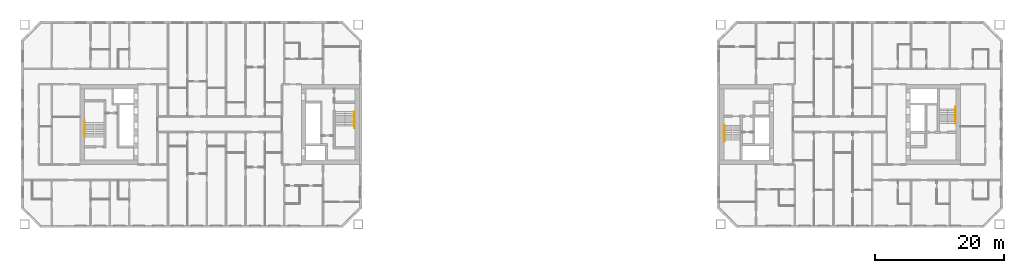
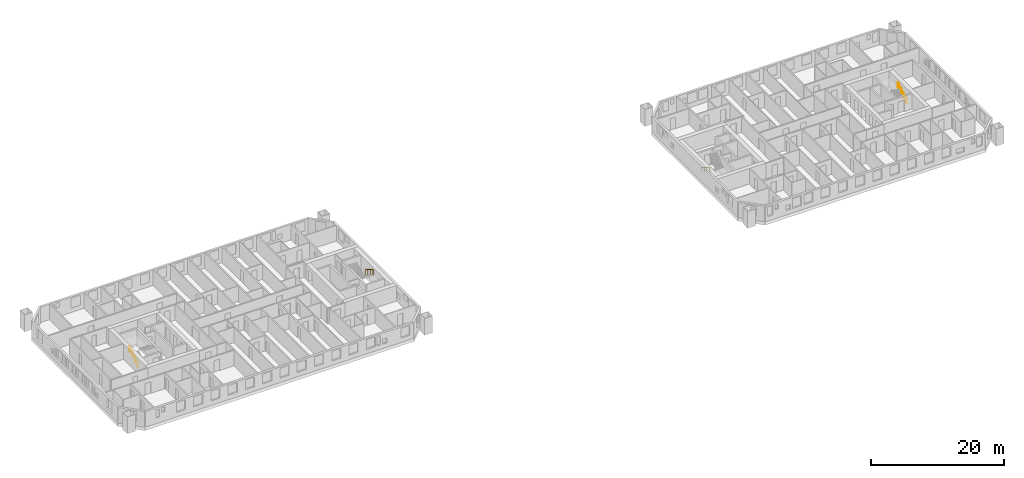
# One storey, part 17 of 17: 4 railings.
"""IFC4 building model written with IfcOpenShell, lengths in metres."""

from ifc_helpers import new_model, si_unit, direction, frame, origin, origin_2d, place, context, subcontext, project, spatial, circle, extrude, material, type_object, element, save


model = new_model("IFC4")

# Units and contexts
model_context = context("Model", 3, precision=1e-05, world=origin(), true_north=direction((0.0, 1.0)))
body_context = subcontext(model_context, "Body", "Model", "MODEL_VIEW")
ifc_project = project(units=[si_unit("LENGTHUNIT", "METRE"), si_unit("AREAUNIT", "SQUARE_METRE"), si_unit("VOLUMEUNIT", "CUBIC_METRE"), si_unit("PLANEANGLEUNIT", "RADIAN"), si_unit("MASSUNIT", "GRAM", prefix="KILO")], contexts=[model_context])

# Site, building, storey
site_placement = place(None, origin())
site = spatial("IfcSite", under=ifc_project, at=site_placement, CompositionType="ELEMENT")
building_placement = place(site_placement, origin())
building = spatial("IfcBuilding", under=site, at=building_placement, Name="Tuart Gate Housing", CompositionType="ELEMENT")
storey_placement = place(building_placement, frame((0.0, 0.0, 71.60009765625)))
storey = spatial("IfcBuildingStorey", under=building, at=storey_placement, Name="L19", CompositionType="ELEMENT", Elevation=71.60009765625)

# Railings
ifc_material = material(Name="Stainless steel", Category="steel")
railing_type = type_object("IfcRailingType", Name="Stair handrail 900", PredefinedType="HANDRAIL", material=ifc_material)
railing_1_placement = place(storey_placement, frame((74.8798828125, 71.949951171875, 0.172119140625)))
element("IfcRailing", 1, at=railing_1_placement, inside=storey, type_object=railing_type, Name="Stair handrail SA1.1", PredefinedType="HANDRAIL", context=body_context, shape_type="SweptSolid", body=[
    extrude(circle(Radius=0.02392578125, at=origin_2d()), frame((0.0, 0.0, 0.8759765625), z_axis=(0.0, -0.85178898068, 0.523885037382), x_axis=(1.0, 0.0, 0.0)), (0.0, 0.0, 1.0), 2.629638671875),
    extrude(circle(Radius=0.02392578125, at=origin_2d()), frame((0.0, -2.239990234375, 2.25341796875), z_axis=(0.0, -1.0, 0.0), x_axis=(1.0, 0.0, 0.0)), (0.0, 0.0, 1.0), 0.300048828125),
    extrude(circle(Radius=0.02099609375, at=origin_2d()), origin(), (0.0, 0.0, 1.0), 0.851806640625),
    extrude(circle(Radius=0.02099609375, at=origin_2d()), frame((0.0, -0.74658203125, 0.459228515625)), (0.0, 0.0, 1.0), 0.851806640625),
    extrude(circle(Radius=0.02099609375, at=origin_2d()), frame((0.0, -1.493408203125, 0.91845703125)), (0.0, 0.0, 1.0), 0.851806640625),
    extrude(circle(Radius=0.02099609375, at=origin_2d()), frame((0.0, -2.239990234375, 1.377685546875)), (0.0, 0.0, 1.0), 0.851806640625),
    extrude(circle(Radius=0.02099609375, at=origin_2d()), frame((0.0, -2.5400390625, 1.377685546875)), (0.0, 0.0, 1.0), 0.851806640625),
])
railing_2_placement = place(storey_placement, frame((33.1201171875, 68.050048828125, 0.172119140625)))
element("IfcRailing", 2, at=railing_2_placement, inside=storey, type_object=railing_type, Name="Stair handrail SA2.1", PredefinedType="HANDRAIL", context=body_context, shape_type="SweptSolid", body=[
    extrude(circle(Radius=0.02392578125, at=origin_2d()), frame((0.0, 0.0, 0.8759765625), z_axis=(0.0, 0.85178898068, 0.523885037382), x_axis=(-1.0, 0.0, 0.0)), (0.0, 0.0, 1.0), 2.629638671875),
    extrude(circle(Radius=0.02392578125, at=origin_2d()), frame((0.0, 2.239990234375, 2.25341796875), z_axis=(0.0, 1.0, 0.0), x_axis=(-1.0, 0.0, 0.0)), (0.0, 0.0, 1.0), 0.300048828125),
    extrude(circle(Radius=0.02099609375, at=origin_2d()), origin(), (0.0, 0.0, 1.0), 0.851806640625),
    extrude(circle(Radius=0.02099609375, at=origin_2d()), frame((0.0, 0.74658203125, 0.459228515625)), (0.0, 0.0, 1.0), 0.851806640625),
    extrude(circle(Radius=0.02099609375, at=origin_2d()), frame((0.0, 1.493408203125, 0.91845703125)), (0.0, 0.0, 1.0), 0.851806640625),
    extrude(circle(Radius=0.02099609375, at=origin_2d()), frame((0.0, 2.239990234375, 1.377685546875)), (0.0, 0.0, 1.0), 0.851806640625),
    extrude(circle(Radius=0.02099609375, at=origin_2d()), frame((0.0, 2.5400390625, 1.377685546875)), (0.0, 0.0, 1.0), 0.851806640625),
])
railing_3_placement = place(storey_placement, frame((132.1201171875, 69.85009765625, 0.172119140625)))
element("IfcRailing", 3, at=railing_3_placement, inside=storey, type_object=railing_type, Name="Stair handrail SB1.1", PredefinedType="HANDRAIL", context=body_context, shape_type="SweptSolid", body=[
    extrude(circle(Radius=0.02392578125, at=origin_2d()), frame((0.0, 0.0, 0.8759765625), z_axis=(0.0, -0.85178898068, 0.523885037382), x_axis=(1.0, 0.0, 0.0)), (0.0, 0.0, 1.0), 2.629638671875),
    extrude(circle(Radius=0.02392578125, at=origin_2d()), frame((0.0, -2.239990234375, 2.25341796875), z_axis=(0.0, -1.0, 0.0), x_axis=(1.0, 0.0, 0.0)), (0.0, 0.0, 1.0), 0.300048828125),
    extrude(circle(Radius=0.02099609375, at=origin_2d()), origin(), (0.0, 0.0, 1.0), 0.851806640625),
    extrude(circle(Radius=0.02099609375, at=origin_2d()), frame((0.0, -0.74658203125, 0.459228515625)), (0.0, 0.0, 1.0), 0.851806640625),
    extrude(circle(Radius=0.02099609375, at=origin_2d()), frame((0.0, -1.493408203125, 0.91845703125)), (0.0, 0.0, 1.0), 0.851806640625),
    extrude(circle(Radius=0.02099609375, at=origin_2d()), frame((0.0, -2.239990234375, 1.377685546875)), (0.0, 0.0, 1.0), 0.851806640625),
    extrude(circle(Radius=0.02099609375, at=origin_2d()), frame((0.0, -2.5400390625, 1.377685546875)), (0.0, 0.0, 1.0), 0.851806640625),
])
railing_4_placement = place(storey_placement, frame((167.8798828125, 70.14990234375, 0.172119140625)))
element("IfcRailing", 4, at=railing_4_placement, inside=storey, type_object=railing_type, Name="Stair handrail SB2.1", PredefinedType="HANDRAIL", context=body_context, shape_type="SweptSolid", body=[
    extrude(circle(Radius=0.02392578125, at=origin_2d()), frame((0.0, 0.0, 0.8759765625), z_axis=(0.0, 0.85178898068, 0.523885037382), x_axis=(-1.0, 0.0, 0.0)), (0.0, 0.0, 1.0), 2.629638671875),
    extrude(circle(Radius=0.02392578125, at=origin_2d()), frame((0.0, 2.239990234375, 2.25341796875), z_axis=(0.0, 1.0, 0.0), x_axis=(-1.0, 0.0, 0.0)), (0.0, 0.0, 1.0), 0.300048828125),
    extrude(circle(Radius=0.02099609375, at=origin_2d()), origin(), (0.0, 0.0, 1.0), 0.851806640625),
    extrude(circle(Radius=0.02099609375, at=origin_2d()), frame((0.0, 0.74658203125, 0.459228515625)), (0.0, 0.0, 1.0), 0.851806640625),
    extrude(circle(Radius=0.02099609375, at=origin_2d()), frame((0.0, 1.493408203125, 0.91845703125)), (0.0, 0.0, 1.0), 0.851806640625),
    extrude(circle(Radius=0.02099609375, at=origin_2d()), frame((0.0, 2.239990234375, 1.377685546875)), (0.0, 0.0, 1.0), 0.851806640625),
    extrude(circle(Radius=0.02099609375, at=origin_2d()), frame((0.0, 2.5400390625, 1.377685546875)), (0.0, 0.0, 1.0), 0.851806640625),
])

save(model, "model.ifc")
